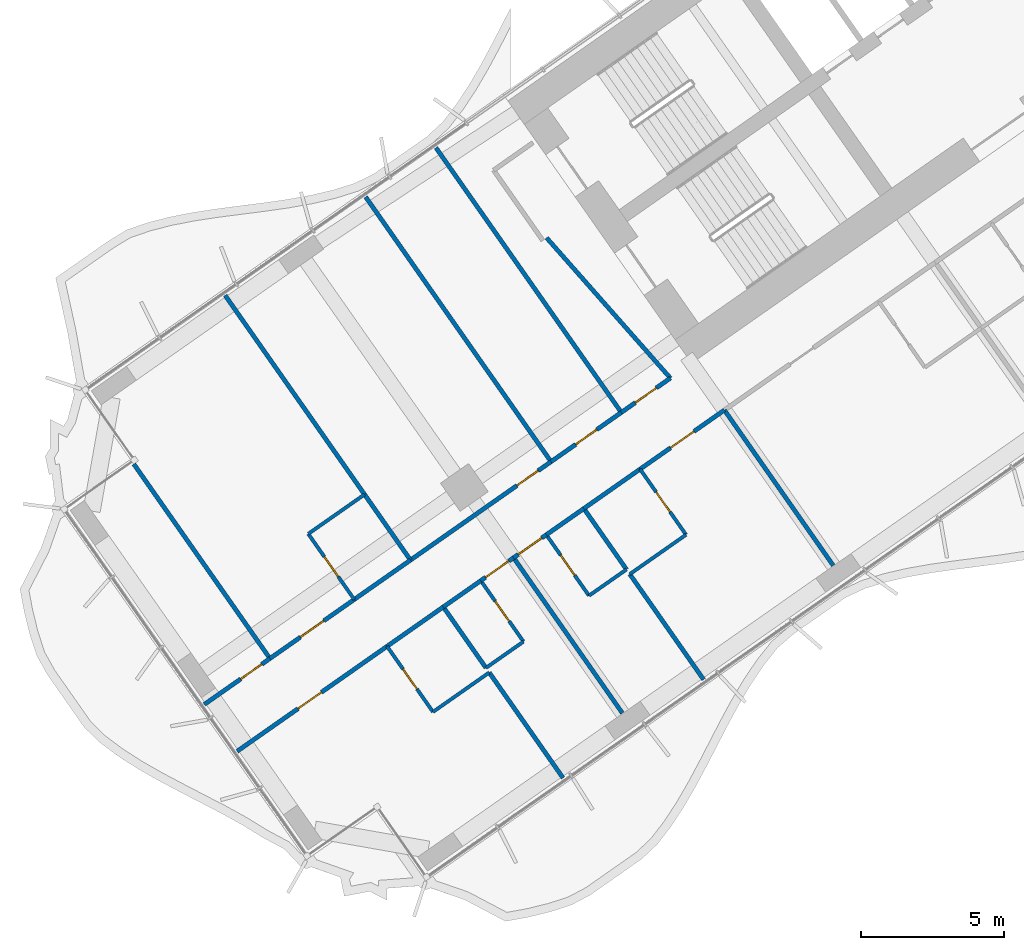
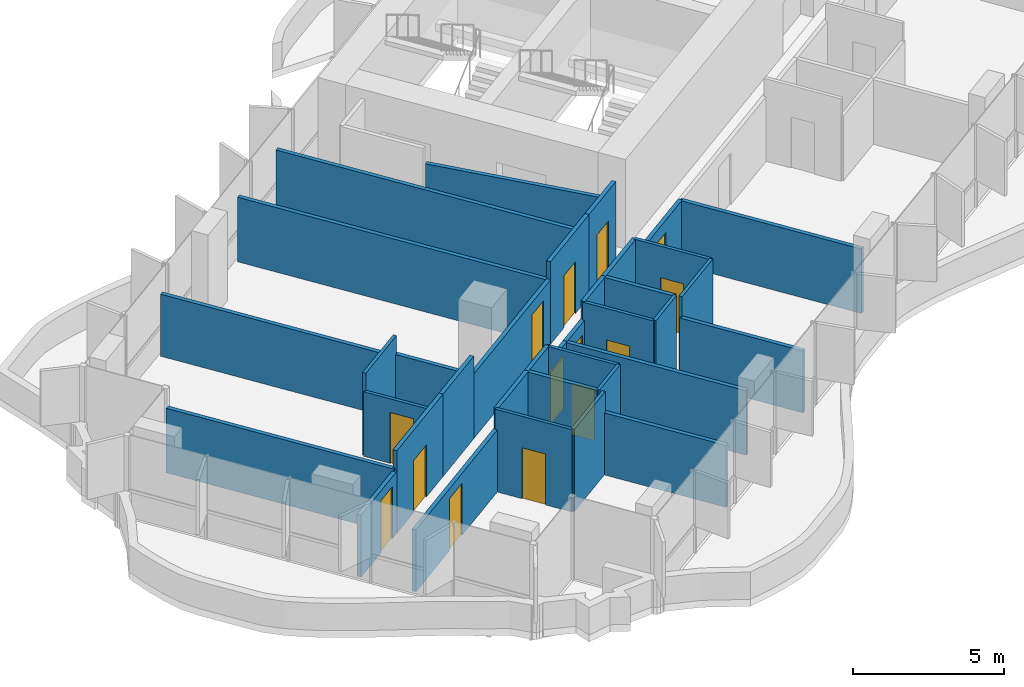
# One storey, part 13 of 24: 36 walls, 14 doors, 14 openings.
"""IFC4 building model written with IfcOpenShell, lengths in metres."""

from ifc_helpers import new_model, si_unit, direction, frame, frame_2d, origin, place, context, subcontext, project, spatial, rectangle, extrude, material, layer, layer_set, type_object, element, fill, save


model = new_model("IFC4")

# Units and contexts
model_context = context("Model", 3, precision=1e-05, world=origin(), true_north=direction((0.0, 1.0)))
body_context = subcontext(model_context, "Body", "Model", "MODEL_VIEW")
ifc_project = project(units=[si_unit("LENGTHUNIT", "METRE"), si_unit("AREAUNIT", "SQUARE_METRE"), si_unit("VOLUMEUNIT", "CUBIC_METRE"), si_unit("PLANEANGLEUNIT", "RADIAN"), si_unit("MASSUNIT", "GRAM", prefix="KILO")], contexts=[model_context])

# Site, building, storey
site_placement = place(None, origin())
site = spatial("IfcSite", under=ifc_project, at=site_placement, CompositionType="ELEMENT")
building_placement = place(site_placement, origin())
building = spatial("IfcBuilding", under=site, at=building_placement, Name="Tel Ilan Convention Tower", CompositionType="ELEMENT")
storey_placement = place(building_placement, frame((0.0, 0.0, 72.5)))
storey = spatial("IfcBuildingStorey", under=building, at=storey_placement, Name="L13", CompositionType="ELEMENT", Elevation=72.5)

# Wall, opening, door
ifc_material_1 = material(Name="Plasterboard on Steel Studs", Category="steel")
ifc_layer_1 = layer(ifc_material_1, 0.14990234375)
ifc_layer_set_1 = layer_set([ifc_layer_1], Name="Fire-rated Partition 150 EI 60")
wall_type_1 = type_object("IfcWallType", Name="Fire-rated Partition 150 EI 60", PredefinedType="PARTITIONING", material=ifc_layer_set_1)
wall_1_placement = place(storey_placement, frame((-24.002685546875, -18.027587890625, 0.0), z_axis=(0.0, 0.0, 1.0), x_axis=(0.819160859995, 0.573563846013, 0.0)))
wall_1 = element("IfcWall", 1, at=wall_1_placement, inside=storey, type_object=wall_type_1, Name="Partition 020", PredefinedType="PARTITIONING", context=body_context, shape_type="SweptSolid", body=[
    extrude(rectangle(XDim=2.098388671875, YDim=0.14990234375, at=frame_2d((1.04931640625, 0.0))), origin(), (0.0, 0.0, 1.0), 3.320068359375),
])
opening_1_placement = place(wall_1_placement, frame((0.59912109375, 0.0, 0.0)))
opening_1 = element("IfcOpeningElement", 2, at=opening_1_placement, cuts=wall_1, Name="Opening L13-013", PredefinedType="OPENING", context=body_context, shape_type="SweptSolid", body=[
    extrude(rectangle(XDim=0.89990234375, YDim=2.10009765625, at=frame_2d((0.449951171875, 1.050048828125))), frame((0.0, 0.0849609375, 0.0), z_axis=(0.0, -1.0, 0.0), x_axis=(1.0, 0.0, 0.0)), (0.0, 0.0, 1.0), 0.169921875),
])
ifc_material_2 = material(Name="Timber Door Leaf in Steel Frame", Category="steel")
door_type_1 = type_object("IfcDoorType", Name="Room Fire Door 900x2100", OperationType="NOTDEFINED", PredefinedType="DOOR", material=ifc_material_2)
door_1_placement = place(opening_1_placement, origin())
door_1 = element("IfcDoor", 3, at=door_1_placement, inside=storey, type_object=door_type_1, Name="Door L13-013", OperationType="SINGLE_SWING_LEFT", OverallHeight=2.10009765625, OverallWidth=0.89990234375, PredefinedType="DOOR", context=body_context, shape_type="SweptSolid", body=[
    extrude(rectangle(XDim=0.89990234375, YDim=2.10009765625, at=frame_2d((0.449951171875, 1.050048828125))), frame((0.0, 0.02490234375, 0.0), z_axis=(0.0, -1.0, 0.0), x_axis=(1.0, 0.0, 0.0)), (0.0, 0.0, 1.0), 0.050048828125),
])
fill(opening_1, door_1)

wall_2_placement = place(storey_placement, frame((-26.460205078125, -19.748291015625, 0.0), z_axis=(0.0, 0.0, 1.0), x_axis=(0.819193738533, 0.573516886193, 0.0)))
wall_2 = element("IfcWall", 4, at=wall_2_placement, inside=storey, type_object=wall_type_1, Name="Partition 021", PredefinedType="PARTITIONING", context=body_context, shape_type="SweptSolid", body=[
    extrude(rectangle(XDim=3.004150390625, YDim=0.14990234375, at=frame_2d((1.501953125, 0.0))), origin(), (0.0, 0.0, 1.0), 3.320068359375),
])
opening_2_placement = place(wall_2_placement, frame((1.052001953125, 0.0, 0.0)))
opening_2 = element("IfcOpeningElement", 5, at=opening_2_placement, cuts=wall_2, Name="Opening L13-014", PredefinedType="OPENING", context=body_context, shape_type="SweptSolid", body=[
    extrude(rectangle(XDim=0.89990234375, YDim=2.10009765625, at=frame_2d((0.449951171875, 1.050048828125))), frame((0.0, 0.0849609375, 0.0), z_axis=(0.0, -1.0, 0.0), x_axis=(1.0, 0.0, 0.0)), (0.0, 0.0, 1.0), 0.169921875),
])
door_2_placement = place(opening_2_placement, origin())
door_2 = element("IfcDoor", 6, at=door_2_placement, inside=storey, type_object=door_type_1, Name="Door L13-014", OperationType="SINGLE_SWING_LEFT", OverallHeight=2.10009765625, OverallWidth=0.89990234375, PredefinedType="DOOR", context=body_context, shape_type="SweptSolid", body=[
    extrude(rectangle(XDim=0.89990234375, YDim=2.10009765625, at=frame_2d((0.449951171875, 1.050048828125))), frame((0.0, 0.02490234375, 0.0), z_axis=(0.0, -1.0, 0.0), x_axis=(1.0, 0.0, 0.0)), (0.0, 0.0, 1.0), 0.050048828125),
])
fill(opening_2, door_2)

wall_3_placement = place(storey_placement, frame((-31.375, -23.189697265625, 0.0), z_axis=(0.0, 0.0, 1.0), x_axis=(0.819165052243, 0.573557858619, 0.0)))
wall_3 = element("IfcWall", 7, at=wall_3_placement, inside=storey, type_object=wall_type_1, Name="Partition 022", PredefinedType="PARTITIONING", context=body_context, shape_type="SweptSolid", body=[
    extrude(rectangle(XDim=6.00390625, YDim=0.14990234375, at=frame_2d((3.001953125, 0.0))), origin(), (0.0, 0.0, 1.0), 2.60009765625),
])
opening_3_placement = place(wall_3_placement, frame((4.552001953125, 0.0, 0.0)))
opening_3 = element("IfcOpeningElement", 8, at=opening_3_placement, cuts=wall_3, Name="Opening L13-015", PredefinedType="OPENING", context=body_context, shape_type="SweptSolid", body=[
    extrude(rectangle(XDim=0.89990234375, YDim=2.10009765625, at=frame_2d((0.449951171875, 1.050048828125))), frame((0.0, 0.0849609375, 0.0), z_axis=(0.0, -1.0, 0.0), x_axis=(1.0, 0.0, 0.0)), (0.0, 0.0, 1.0), 0.169921875),
])
door_3_placement = place(opening_3_placement, origin())
door_3 = element("IfcDoor", 9, at=door_3_placement, inside=storey, type_object=door_type_1, Name="Door L13-015", OperationType="SINGLE_SWING_LEFT", OverallHeight=2.10009765625, OverallWidth=0.89990234375, PredefinedType="DOOR", context=body_context, shape_type="SweptSolid", body=[
    extrude(rectangle(XDim=0.89990234375, YDim=2.10009765625, at=frame_2d((0.449951171875, 1.050048828125))), frame((0.0, 0.02490234375, 0.0), z_axis=(0.0, -1.0, 0.0), x_axis=(1.0, 0.0, 0.0)), (0.0, 0.0, 1.0), 0.050048828125),
])
fill(opening_3, door_3)

wall_4_placement = place(storey_placement, frame((-36.289794921875, -26.631103515625, 0.0), z_axis=(0.0, 0.0, 1.0), x_axis=(0.81917779803, 0.57353965444, 0.0)))
wall_4 = element("IfcWall", 10, at=wall_4_placement, inside=storey, type_object=wall_type_1, Name="Partition 023", PredefinedType="PARTITIONING", context=body_context, shape_type="SweptSolid", body=[
    extrude(rectangle(XDim=3.602783203125, YDim=0.14990234375, at=frame_2d((1.80126953125, 0.0))), origin(), (0.0, 0.0, 1.0), 3.320068359375),
])
opening_4_placement = place(wall_4_placement, frame((1.302001953125, 0.0, 0.0)))
opening_4 = element("IfcOpeningElement", 11, at=opening_4_placement, cuts=wall_4, Name="Opening L13-017", PredefinedType="OPENING", context=body_context, shape_type="SweptSolid", body=[
    extrude(rectangle(XDim=1.0, YDim=2.10009765625, at=frame_2d((0.5, 1.050048828125))), frame((0.0, 0.0849609375, 0.0), z_axis=(0.0, -1.0, 0.0), x_axis=(1.0, 0.0, 0.0)), (0.0, 0.0, 1.0), 0.169921875),
])
ifc_material_3 = material(Name="Timber Door Leaf in Steel Frame", Category="steel")
door_type_2 = type_object("IfcDoorType", Name="Hotel Room Entrance Fire Door 1000x2100", OperationType="NOTDEFINED", PredefinedType="DOOR", material=ifc_material_3)
door_4_placement = place(opening_4_placement, origin())
door_4 = element("IfcDoor", 12, at=door_4_placement, inside=storey, type_object=door_type_2, Name="Door L13-017", OperationType="SINGLE_SWING_LEFT", OverallHeight=2.10009765625, OverallWidth=1.0, PredefinedType="DOOR", context=body_context, shape_type="SweptSolid", body=[
    extrude(rectangle(XDim=1.0, YDim=2.10009765625, at=frame_2d((0.5, 1.050048828125))), frame((0.0, 0.02490234375, 0.0), z_axis=(0.0, -1.0, 0.0), x_axis=(1.0, 0.0, 0.0)), (0.0, 0.0, 1.0), 0.050048828125),
])
fill(opening_4, door_4)

# Wall
wall_5_placement = place(storey_placement, frame((-33.341064453125, -24.56640625, 0.0), z_axis=(0.0, 0.0, 1.0), x_axis=(0.819179439794, 0.573537309527, 0.0)))
element("IfcWall", 13, at=wall_5_placement, inside=storey, type_object=wall_type_1, Name="Partition 024", PredefinedType="PARTITIONING", context=body_context, shape_type="SweptSolid", body=[
    extrude(rectangle(XDim=2.404296875, YDim=0.14990234375, at=frame_2d((1.2021484375, 0.0))), origin(), (0.0, 0.0, 1.0), 3.320068359375),
])

# Wall, opening, door
wall_6_placement = place(storey_placement, frame((-38.581787109375, -28.236083984375, 0.0), z_axis=(0.0, 0.0, 1.0), x_axis=(0.819137759006, 0.573596837309, 0.0)))
wall_6 = element("IfcWall", 14, at=wall_6_placement, inside=storey, type_object=wall_type_1, Name="Partition 025", PredefinedType="PARTITIONING", context=body_context, shape_type="SweptSolid", body=[
    extrude(rectangle(XDim=2.802001953125, YDim=0.14990234375, at=frame_2d((1.40087890625, 0.0))), origin(), (0.0, 0.0, 1.0), 2.5),
])
opening_5_placement = place(wall_6_placement, frame((1.551025390625, 0.0, 0.0)))
opening_5 = element("IfcOpeningElement", 15, at=opening_5_placement, cuts=wall_6, Name="Opening L13-018", PredefinedType="OPENING", context=body_context, shape_type="SweptSolid", body=[
    extrude(rectangle(XDim=0.89990234375, YDim=2.10009765625, at=frame_2d((0.449951171875, 1.050048828125))), frame((0.0, 0.0849609375, 0.0), z_axis=(0.0, -1.0, 0.0), x_axis=(1.0, 0.0, 0.0)), (0.0, 0.0, 1.0), 0.169921875),
])
door_5_placement = place(opening_5_placement, origin())
door_5 = element("IfcDoor", 16, at=door_5_placement, inside=storey, type_object=door_type_1, Name="Door L13-018", OperationType="SINGLE_SWING_RIGHT", OverallHeight=2.10009765625, OverallWidth=0.89990234375, PredefinedType="DOOR", context=body_context, shape_type="SweptSolid", body=[
    extrude(rectangle(XDim=0.89990234375, YDim=2.10009765625, at=frame_2d((0.449951171875, 1.050048828125))), frame((0.0, 0.02490234375, 0.0), z_axis=(0.0, -1.0, 0.0), x_axis=(1.0, 0.0, 0.0)), (0.0, 0.0, 1.0), 0.050048828125),
])
fill(opening_5, door_5)

wall_7_placement = place(storey_placement, frame((-20.394775390625, -17.94287109375, 0.0), z_axis=(0.0, 0.0, 1.0), x_axis=(-0.819145961204, -0.573585123798, 0.0)))
wall_7 = element("IfcWall", 17, at=wall_7_placement, inside=storey, type_object=wall_type_1, Name="Partition 030", PredefinedType="PARTITIONING", context=body_context, shape_type="SweptSolid", body=[
    extrude(rectangle(XDim=3.60302734375, YDim=0.14990234375, at=frame_2d((1.801513671875, 0.0))), origin(), (0.0, 0.0, 1.0), 2.60009765625),
])
opening_6_placement = place(wall_7_placement, frame((1.302001953125, 0.0, 0.0)))
opening_6 = element("IfcOpeningElement", 18, at=opening_6_placement, cuts=wall_7, Name="Opening L13-006", PredefinedType="OPENING", context=body_context, shape_type="SweptSolid", body=[
    extrude(rectangle(XDim=1.0, YDim=2.10009765625, at=frame_2d((0.5, 1.050048828125))), frame((0.0, 0.0849609375, 0.0), z_axis=(0.0, -1.0, 0.0), x_axis=(1.0, 0.0, 0.0)), (0.0, 0.0, 1.0), 0.169921875),
])
door_6_placement = place(opening_6_placement, origin())
door_6 = element("IfcDoor", 19, at=door_6_placement, inside=storey, type_object=door_type_2, Name="Door L13-006", OperationType="SINGLE_SWING_RIGHT", OverallHeight=2.10009765625, OverallWidth=1.0, PredefinedType="DOOR", context=body_context, shape_type="SweptSolid", body=[
    extrude(rectangle(XDim=1.0, YDim=2.10009765625, at=frame_2d((0.5, 1.050048828125))), frame((0.0, 0.02490234375, 0.0), z_axis=(0.0, -1.0, 0.0), x_axis=(1.0, 0.0, 0.0)), (0.0, 0.0, 1.0), 0.050048828125),
])
fill(opening_6, door_6)

# Wall
wall_8_placement = place(storey_placement, frame((-23.34375, -20.0078125, 0.0), z_axis=(0.0, 0.0, 1.0), x_axis=(-0.819146032251, -0.573585022335, 0.0)))
element("IfcWall", 20, at=wall_8_placement, inside=storey, type_object=wall_type_1, Name="Partition 031", PredefinedType="PARTITIONING", context=body_context, shape_type="SweptSolid", body=[
    extrude(rectangle(XDim=2.404052734375, YDim=0.14990234375, at=frame_2d((1.2021484375, 0.0))), origin(), (0.0, 0.0, 1.0), 3.320068359375),
])

# Wall, opening, door
wall_9_placement = place(storey_placement, frame((-26.62109375, -22.302490234375, 0.0), z_axis=(0.0, 0.0, 1.0), x_axis=(-0.819117471667, -0.573625808005, 0.0)))
wall_9 = element("IfcWall", 21, at=wall_9_placement, inside=storey, type_object=wall_type_1, Name="Partition 032", PredefinedType="PARTITIONING", context=body_context, shape_type="SweptSolid", body=[
    extrude(rectangle(XDim=1.4033203125, YDim=0.14990234375, at=frame_2d((0.70166015625, 0.0))), origin(), (0.0, 0.0, 1.0), 2.60009765625),
])
opening_7_placement = place(wall_9_placement, frame((0.200927734375, 0.0, 0.0)))
opening_7 = element("IfcOpeningElement", 22, at=opening_7_placement, cuts=wall_9, Name="Opening L13-008", PredefinedType="OPENING", context=body_context, shape_type="SweptSolid", body=[
    extrude(rectangle(XDim=1.0, YDim=2.10009765625, at=frame_2d((0.5, 1.050048828125))), frame((0.0, 0.0849609375, 0.0), z_axis=(0.0, -1.0, 0.0), x_axis=(1.0, 0.0, 0.0)), (0.0, 0.0, 1.0), 0.169921875),
])
door_7_placement = place(opening_7_placement, origin())
door_7 = element("IfcDoor", 23, at=door_7_placement, inside=storey, type_object=door_type_2, Name="Door L13-008", OperationType="SINGLE_SWING_LEFT", OverallHeight=2.10009765625, OverallWidth=1.0, PredefinedType="DOOR", context=body_context, shape_type="SweptSolid", body=[
    extrude(rectangle(XDim=1.0, YDim=2.10009765625, at=frame_2d((0.5, 1.050048828125))), frame((0.0, 0.02490234375, 0.0), z_axis=(0.0, -1.0, 0.0), x_axis=(1.0, 0.0, 0.0)), (0.0, 0.0, 1.0), 0.050048828125),
])
fill(opening_7, door_7)

# Wall
wall_10_placement = place(storey_placement, frame((-25.3095703125, -21.38427734375, 0.0), z_axis=(0.0, 0.0, 1.0), x_axis=(-0.819189013667, -0.573523634986, 0.0)))
element("IfcWall", 24, at=wall_10_placement, inside=storey, type_object=wall_type_1, Name="Partition 033", PredefinedType="PARTITIONING", context=body_context, shape_type="SweptSolid", body=[
    extrude(rectangle(XDim=1.60400390625, YDim=0.14990234375, at=frame_2d((0.802001953125, 0.0))), origin(), (0.0, 0.0, 1.0), 3.320068359375),
])

# Wall, opening, door
wall_11_placement = place(storey_placement, frame((-27.76708984375, -23.10498046875, 0.0), z_axis=(0.0, 0.0, 1.0), x_axis=(-0.819117471667, -0.573625808005, 0.0)))
wall_11 = element("IfcWall", 25, at=wall_11_placement, inside=storey, type_object=wall_type_1, Name="Partition 034", PredefinedType="PARTITIONING", context=body_context, shape_type="SweptSolid", body=[
    extrude(rectangle(XDim=1.4033203125, YDim=0.14990234375, at=frame_2d((0.70166015625, 0.0))), origin(), (0.0, 0.0, 1.0), 2.60009765625),
])
opening_8_placement = place(wall_11_placement, frame((0.201904296875, 0.0, 0.0)))
opening_8 = element("IfcOpeningElement", 26, at=opening_8_placement, cuts=wall_11, Name="Opening L13-010", PredefinedType="OPENING", context=body_context, shape_type="SweptSolid", body=[
    extrude(rectangle(XDim=1.0, YDim=2.10009765625, at=frame_2d((0.5, 1.050048828125))), frame((0.0, 0.0849609375, 0.0), z_axis=(0.0, -1.0, 0.0), x_axis=(1.0, 0.0, 0.0)), (0.0, 0.0, 1.0), 0.169921875),
])
door_8_placement = place(opening_8_placement, origin())
door_8 = element("IfcDoor", 27, at=door_8_placement, inside=storey, type_object=door_type_2, Name="Door L13-010", OperationType="SINGLE_SWING_LEFT", OverallHeight=2.10009765625, OverallWidth=1.0, PredefinedType="DOOR", context=body_context, shape_type="SweptSolid", body=[
    extrude(rectangle(XDim=1.0, YDim=2.10009765625, at=frame_2d((0.5, 1.050048828125))), frame((0.0, 0.02490234375, 0.0), z_axis=(0.0, -1.0, 0.0), x_axis=(1.0, 0.0, 0.0)), (0.0, 0.0, 1.0), 0.050048828125),
])
fill(opening_8, door_8)

# Wall
wall_12_placement = place(storey_placement, frame((-28.913818359375, -23.908203125, 0.0), z_axis=(0.0, 0.0, 1.0), x_axis=(-0.819189013667, -0.573523634986, 0.0)))
element("IfcWall", 28, at=wall_12_placement, inside=storey, type_object=wall_type_1, Name="Partition 035", PredefinedType="PARTITIONING", context=body_context, shape_type="SweptSolid", body=[
    extrude(rectangle(XDim=1.60400390625, YDim=0.14990234375, at=frame_2d((0.802001953125, 0.0))), origin(), (0.0, 0.0, 1.0), 3.320068359375),
])

# Wall, opening, door
wall_13_placement = place(storey_placement, frame((-32.19140625, -26.202880859375, 0.0), z_axis=(0.0, 0.0, 1.0), x_axis=(-0.819140526837, -0.573592884626, 0.0)))
wall_13 = element("IfcWall", 29, at=wall_13_placement, inside=storey, type_object=wall_type_1, Name="Partition 036", PredefinedType="PARTITIONING", context=body_context, shape_type="SweptSolid", body=[
    extrude(rectangle(XDim=6.401123046875, YDim=0.14990234375, at=frame_2d((3.20068359375, 0.0))), origin(), (0.0, 0.0, 1.0), 2.5),
])
opening_9_placement = place(wall_13_placement, frame((2.801025390625, 0.0, 0.0)))
opening_9 = element("IfcOpeningElement", 30, at=opening_9_placement, cuts=wall_13, Name="Opening L13-012", PredefinedType="OPENING", context=body_context, shape_type="SweptSolid", body=[
    extrude(rectangle(XDim=1.0, YDim=2.10009765625, at=frame_2d((0.5, 1.050048828125))), frame((0.0, 0.0849609375, 0.0), z_axis=(0.0, -1.0, 0.0), x_axis=(1.0, 0.0, 0.0)), (0.0, 0.0, 1.0), 0.169921875),
])
door_9_placement = place(opening_9_placement, origin())
door_9 = element("IfcDoor", 31, at=door_9_placement, inside=storey, type_object=door_type_2, Name="Door L13-012", OperationType="SINGLE_SWING_LEFT", OverallHeight=2.10009765625, OverallWidth=1.0, PredefinedType="DOOR", context=body_context, shape_type="SweptSolid", body=[
    extrude(rectangle(XDim=1.0, YDim=2.10009765625, at=frame_2d((0.5, 1.050048828125))), frame((0.0, 0.02490234375, 0.0), z_axis=(0.0, -1.0, 0.0), x_axis=(1.0, 0.0, 0.0)), (0.0, 0.0, 1.0), 0.050048828125),
])
fill(opening_9, door_9)

# Walls
wall_14_placement = place(storey_placement, frame((-30.224609375, -24.82568359375, 0.0), z_axis=(0.0, 0.0, 1.0), x_axis=(-0.819146032251, -0.573585022335, 0.0)))
element("IfcWall", 32, at=wall_14_placement, inside=storey, type_object=wall_type_1, Name="Partition 037", PredefinedType="PARTITIONING", context=body_context, shape_type="SweptSolid", body=[
    extrude(rectangle(XDim=2.404052734375, YDim=0.14990234375, at=frame_2d((1.2021484375, 0.0))), origin(), (0.0, 0.0, 1.0), 3.320068359375),
])
wall_15_placement = place(storey_placement, frame((-22.2841796875, -16.82666015625, 0.0), z_axis=(0.0, 0.0, 1.0), x_axis=(-0.661545117561, 0.749905365651, 0.0)))
element("IfcWall", 33, at=wall_15_placement, inside=storey, type_object=wall_type_1, Name="Partition 076", PredefinedType="PARTITIONING", context=body_context, shape_type="SweptSolid", body=[
    extrude(rectangle(XDim=6.542724609375, YDim=0.14990234375, at=frame_2d((3.271484375, 0.0))), origin(), (0.0, 0.0, 1.0), 2.60009765625),
])
for number, where, z_axis, x_axis, name in (
    (34, (-24.0009765625, -18.0263671875, 0.0), (0.0, 0.0, 1.0), (-0.573581240749, 0.819148680192, 0.0), "Partition 077"),
    (35, (-26.45849609375, -19.747314453125, 0.0), (0.0, 0.0, 1.0), (-0.573571089604, 0.819155788095, 0.0), "Partition 078"),
):
    element("IfcWall", number, at=place(storey_placement, frame(where, z_axis=z_axis, x_axis=x_axis)), inside=storey, type_object=wall_type_1, Name=name, PredefinedType="PARTITIONING", context=body_context, shape_type="SweptSolid", body=[
        extrude(rectangle(XDim=11.300048828125, YDim=0.14990234375, at=frame_2d((5.64990234375, 0.0))), origin(), (0.0, 0.0, 1.0), 2.60009765625),
    ])
wall_16_placement = place(storey_placement, frame((-32.978759765625, -20.895751953125, 0.0), z_axis=(0.0, 0.0, 1.0), x_axis=(-0.573576058406, 0.819152308929, 0.0)))
element("IfcWall", 36, at=wall_16_placement, inside=storey, type_object=wall_type_1, Name="Partition 079", PredefinedType="PARTITIONING", context=body_context, shape_type="SweptSolid", body=[
    extrude(rectangle(XDim=8.5009765625, YDim=0.14990234375, at=frame_2d((4.25048828125, 0.0))), origin(), (0.0, 0.0, 1.0), 2.5),
])
wall_17_placement = place(storey_placement, frame((-31.373291015625, -23.188720703125, 0.0), z_axis=(0.0, 0.0, 1.0), x_axis=(-0.573555899632, 0.819166423871, 0.0)))
element("IfcWall", 37, at=wall_17_placement, inside=storey, type_object=wall_type_1, Name="Partition 080", PredefinedType="PARTITIONING", context=body_context, shape_type="SweptSolid", body=[
    extrude(rectangle(XDim=2.80224609375, YDim=0.14990234375, at=frame_2d((1.401123046875, 0.0))), origin(), (0.0, 0.0, 1.0), 2.60009765625),
])
wall_18_placement = place(storey_placement, frame((-36.288330078125, -26.630126953125, 0.0), z_axis=(0.0, 0.0, 1.0), x_axis=(-0.573555124968, 0.819166966267, 0.0)))
element("IfcWall", 38, at=wall_18_placement, inside=storey, type_object=wall_type_1, Name="Partition 083", PredefinedType="PARTITIONING", context=body_context, shape_type="SweptSolid", body=[
    extrude(rectangle(XDim=8.300048828125, YDim=0.14990234375, at=frame_2d((4.14990234375, 0.0))), origin(), (0.0, 0.0, 1.0), 2.60009765625),
])
wall_19_placement = place(storey_placement, frame((-16.593505859375, -23.375, 0.0), z_axis=(0.0, 0.0, 1.0), x_axis=(-0.57359826181, 0.819136761505, 0.0)))
element("IfcWall", 39, at=wall_19_placement, inside=storey, type_object=wall_type_1, Name="Partition 090", PredefinedType="PARTITIONING", context=body_context, shape_type="SweptSolid", body=[
    extrude(rectangle(XDim=6.630126953125, YDim=0.14990234375, at=frame_2d((3.31494140625, 0.0))), origin(), (0.0, 0.0, 1.0), 2.60009765625),
])
wall_20_placement = place(storey_placement, frame((-21.124267578125, -27.365234375, 0.0), z_axis=(0.0, 0.0, 1.0), x_axis=(-0.573553393703, 0.819168178442, 0.0)))
element("IfcWall", 40, at=wall_20_placement, inside=storey, type_object=wall_type_1, Name="Partition 093", PredefinedType="PARTITIONING", context=body_context, shape_type="SweptSolid", body=[
    extrude(rectangle(XDim=4.498779296875, YDim=0.14990234375, at=frame_2d((2.24951171875, 0.0))), origin(), (0.0, 0.0, 1.0), 2.5),
])
wall_21_placement = place(storey_placement, frame((-23.81884765625, -23.516845703125, 0.0), z_axis=(0.0, 0.0, 1.0), x_axis=(-0.573588285102, 0.819143747577, 0.0)))
element("IfcWall", 41, at=wall_21_placement, inside=storey, type_object=wall_type_1, Name="Partition 094", PredefinedType="PARTITIONING", context=body_context, shape_type="SweptSolid", body=[
    extrude(rectangle(XDim=2.601806640625, YDim=0.14990234375, at=frame_2d((1.30078125, 0.0))), origin(), (0.0, 0.0, 1.0), 3.320068359375),
])
wall_22_placement = place(storey_placement, frame((-23.9658203125, -28.537109375, 0.0), z_axis=(0.0, 0.0, 1.0), x_axis=(-0.57359826181, 0.819136761505, 0.0)))
element("IfcWall", 42, at=wall_22_placement, inside=storey, type_object=wall_type_1, Name="Partition 097", PredefinedType="PARTITIONING", context=body_context, shape_type="SweptSolid", body=[
    extrude(rectangle(XDim=6.630126953125, YDim=0.14990234375, at=frame_2d((3.31494140625, 0.0))), origin(), (0.0, 0.0, 1.0), 2.60009765625),
])
wall_23_placement = place(storey_placement, frame((-26.0390625, -30.806640625, 0.0), z_axis=(0.0, 0.0, 1.0), x_axis=(-0.573593387921, 0.81914017441, 0.0)))
element("IfcWall", 43, at=wall_23_placement, inside=storey, type_object=wall_type_1, Name="Partition 100", PredefinedType="PARTITIONING", context=body_context, shape_type="SweptSolid", body=[
    extrude(rectangle(XDim=4.5009765625, YDim=0.14990234375, at=frame_2d((2.25048828125, 0.0))), origin(), (0.0, 0.0, 1.0), 2.5),
])
wall_24_placement = place(storey_placement, frame((-28.73486328125, -26.956787109375, 0.0), z_axis=(0.0, 0.0, 1.0), x_axis=(-0.573600972199, 0.819134863556, 0.0)))
element("IfcWall", 44, at=wall_24_placement, inside=storey, type_object=wall_type_1, Name="Partition 101", PredefinedType="PARTITIONING", context=body_context, shape_type="SweptSolid", body=[
    extrude(rectangle(XDim=2.60009765625, YDim=0.14990234375, at=frame_2d((1.300048828125, 0.0))), origin(), (0.0, 0.0, 1.0), 3.320068359375),
])
ifc_material_4 = material(Name="Plasterboard on Steel Studs", Category="steel")
ifc_layer_2 = layer(ifc_material_4, 0.1201171875)
ifc_layer_set_2 = layer_set([ifc_layer_2], Name="Moisture-resistant Partition 120")
wall_type_2 = type_object("IfcWallType", Name="Moisture-resistant Partition 120", PredefinedType="PARTITIONING", material=ifc_layer_set_2)
wall_25_placement = place(storey_placement, frame((-32.97998046875, -20.894287109375, 0.0), z_axis=(0.0, 0.0, 1.0), x_axis=(-0.819155442668, -0.573571582932, 0.0)))
element("IfcWall", 45, at=wall_25_placement, inside=storey, type_object=wall_type_2, Name="Partition 081", PredefinedType="PARTITIONING", context=body_context, shape_type="SweptSolid", body=[
    extrude(rectangle(XDim=2.39990234375, YDim=0.1201171875, at=frame_2d((1.199951171875, 0.0))), origin(), (0.0, 0.0, 1.0), 3.320068359375),
])

# Wall, opening, door
wall_26_placement = place(storey_placement, frame((-34.9462890625, -22.272216796875, 0.0), z_axis=(0.0, 0.0, 1.0), x_axis=(0.573608623498, -0.819129505664, 0.0)))
wall_26 = element("IfcWall", 46, at=wall_26_placement, inside=storey, type_object=wall_type_2, Name="Partition 082", PredefinedType="PARTITIONING", context=body_context, shape_type="SweptSolid", body=[
    extrude(rectangle(XDim=2.800048828125, YDim=0.1201171875, at=frame_2d((1.39990234375, 0.0))), origin(), (0.0, 0.0, 1.0), 2.60009765625),
])
opening_10_placement = place(wall_26_placement, frame((0.97509765625, 0.0, 0.0)))
opening_10 = element("IfcOpeningElement", 47, at=opening_10_placement, cuts=wall_26, Name="Opening L13-016", PredefinedType="OPENING", context=body_context, shape_type="SweptSolid", body=[
    extrude(rectangle(XDim=0.85009765625, YDim=2.050048828125, at=frame_2d((0.425048828125, 1.02490234375))), frame((0.0, 0.070068359375, 0.0), z_axis=(0.0, -1.0, 0.0), x_axis=(1.0, 0.0, 0.0)), (0.0, 0.0, 1.0), 0.14013671875),
])
ifc_material_5 = material(Name="Timber Door Leaf in Steel Frame", Category="steel")
door_type_3 = type_object("IfcDoorType", Name="Bathroom Timber Door 850x2050", OperationType="NOTDEFINED", PredefinedType="DOOR", material=ifc_material_5)
door_10_placement = place(opening_10_placement, origin())
door_10 = element("IfcDoor", 48, at=door_10_placement, inside=storey, type_object=door_type_3, Name="Door L13-016", OperationType="SINGLE_SWING_RIGHT", OverallHeight=2.050048828125, OverallWidth=0.85009765625, PredefinedType="DOOR", context=body_context, shape_type="SweptSolid", body=[
    extrude(rectangle(XDim=0.85009765625, YDim=2.050048828125, at=frame_2d((0.425048828125, 1.02490234375))), frame((0.0, 0.02490234375, 0.0), z_axis=(0.0, -1.0, 0.0), x_axis=(1.0, 0.0, 0.0)), (0.0, 0.0, 1.0), 0.050048828125),
])
fill(opening_10, door_10)

# Wall
wall_27_placement = place(storey_placement, frame((-23.70458984375, -23.679931640625, 0.0), z_axis=(0.0, 0.0, 1.0), x_axis=(0.819107643868, 0.573639841501, 0.0)))
element("IfcWall", 49, at=wall_27_placement, inside=storey, type_object=wall_type_2, Name="Partition 091", PredefinedType="PARTITIONING", context=body_context, shape_type="SweptSolid", body=[
    extrude(rectangle(XDim=2.39990234375, YDim=0.1201171875, at=frame_2d((1.199951171875, 0.0))), origin(), (0.0, 0.0, 1.0), 3.320068359375),
])

# Wall, opening, door
wall_28_placement = place(storey_placement, frame((-21.738525390625, -22.302001953125, 0.0), z_axis=(0.0, 0.0, 1.0), x_axis=(-0.573550118428, 0.819170471667, 0.0)))
wall_28 = element("IfcWall", 50, at=wall_28_placement, inside=storey, type_object=wall_type_2, Name="Partition 092", PredefinedType="PARTITIONING", context=body_context, shape_type="SweptSolid", body=[
    extrude(rectangle(XDim=2.800048828125, YDim=0.1201171875, at=frame_2d((1.39990234375, 0.0))), origin(), (0.0, 0.0, 1.0), 3.320068359375),
])
opening_11_placement = place(wall_28_placement, frame((0.97509765625, 0.0, 0.0)))
opening_11 = element("IfcOpeningElement", 51, at=opening_11_placement, cuts=wall_28, Name="Opening L13-005", PredefinedType="OPENING", context=body_context, shape_type="SweptSolid", body=[
    extrude(rectangle(XDim=0.85009765625, YDim=2.050048828125, at=frame_2d((0.425048828125, 1.02490234375))), frame((0.0, 0.070068359375, 0.0), z_axis=(0.0, -1.0, 0.0), x_axis=(1.0, 0.0, 0.0)), (0.0, 0.0, 1.0), 0.14013671875),
])
door_11_placement = place(opening_11_placement, origin())
door_11 = element("IfcDoor", 52, at=door_11_placement, inside=storey, type_object=door_type_3, Name="Door L13-005", OperationType="SINGLE_SWING_LEFT", OverallHeight=2.050048828125, OverallWidth=0.85009765625, PredefinedType="DOOR", context=body_context, shape_type="SweptSolid", body=[
    extrude(rectangle(XDim=0.85009765625, YDim=2.050048828125, at=frame_2d((0.425048828125, 1.02490234375))), frame((0.0, 0.02490234375, 0.0), z_axis=(0.0, -1.0, 0.0), x_axis=(1.0, 0.0, 0.0)), (0.0, 0.0, 1.0), 0.050048828125),
])
fill(opening_11, door_11)

wall_29_placement = place(storey_placement, frame((-26.622802734375, -22.3037109375, 0.0), z_axis=(0.0, 0.0, 1.0), x_axis=(0.573537965655, -0.819178980414, 0.0)))
wall_29 = element("IfcWall", 53, at=wall_29_placement, inside=storey, type_object=wall_type_2, Name="Partition 095", PredefinedType="PARTITIONING", context=body_context, shape_type="SweptSolid", body=[
    extrude(rectangle(XDim=2.60009765625, YDim=0.1201171875, at=frame_2d((1.300048828125, 0.0))), origin(), (0.0, 0.0, 1.0), 3.320068359375),
])
opening_12_placement = place(wall_29_placement, frame((0.875, 0.0, 0.0)))
opening_12 = element("IfcOpeningElement", 54, at=opening_12_placement, cuts=wall_29, Name="Opening L13-007", PredefinedType="OPENING", context=body_context, shape_type="SweptSolid", body=[
    extrude(rectangle(XDim=0.85009765625, YDim=2.050048828125, at=frame_2d((0.425048828125, 1.02490234375))), frame((0.0, 0.070068359375, 0.0), z_axis=(0.0, -1.0, 0.0), x_axis=(1.0, 0.0, 0.0)), (0.0, 0.0, 1.0), 0.14013671875),
])
door_12_placement = place(opening_12_placement, origin())
door_12 = element("IfcDoor", 55, at=door_12_placement, inside=storey, type_object=door_type_3, Name="Door L13-007", OperationType="SINGLE_SWING_RIGHT", OverallHeight=2.050048828125, OverallWidth=0.85009765625, PredefinedType="DOOR", context=body_context, shape_type="SweptSolid", body=[
    extrude(rectangle(XDim=0.85009765625, YDim=2.050048828125, at=frame_2d((0.425048828125, 1.02490234375))), frame((0.0, 0.02490234375, 0.0), z_axis=(0.0, -1.0, 0.0), x_axis=(1.0, 0.0, 0.0)), (0.0, 0.0, 1.0), 0.050048828125),
])
fill(opening_12, door_12)

# Walls
for number, where, z_axis, x_axis, name in (
    (56, (-25.130126953125, -24.433837890625, 0.0), (0.0, 0.0, 1.0), (0.81918174131, 0.573534022273, 0.0), "Partition 096"),
    (57, (-28.734375, -26.95751953125, 0.0), (0.0, 0.0, 1.0), (0.81918174131, 0.573534022273, 0.0), "Partition 098"),
):
    element("IfcWall", number, at=place(storey_placement, frame(where, z_axis=z_axis, x_axis=x_axis)), inside=storey, type_object=wall_type_2, Name=name, PredefinedType="PARTITIONING", context=body_context, shape_type="SweptSolid", body=[
        extrude(rectangle(XDim=1.60009765625, YDim=0.1201171875, at=frame_2d((0.800048828125, 0.0))), origin(), (0.0, 0.0, 1.0), 3.320068359375),
    ])

# Wall, opening, door
wall_30_placement = place(storey_placement, frame((-27.42333984375, -26.038330078125, 0.0), z_axis=(0.0, 0.0, 1.0), x_axis=(-0.573645091666, 0.819103967032, 0.0)))
wall_30 = element("IfcWall", 58, at=wall_30_placement, inside=storey, type_object=wall_type_2, Name="Partition 099", PredefinedType="PARTITIONING", context=body_context, shape_type="SweptSolid", body=[
    extrude(rectangle(XDim=2.599853515625, YDim=0.1201171875, at=frame_2d((1.2998046875, 0.0))), origin(), (0.0, 0.0, 1.0), 3.320068359375),
])
opening_13_placement = place(wall_30_placement, frame((0.875, 0.0, 0.0)))
opening_13 = element("IfcOpeningElement", 59, at=opening_13_placement, cuts=wall_30, Name="Opening L13-009", PredefinedType="OPENING", context=body_context, shape_type="SweptSolid", body=[
    extrude(rectangle(XDim=0.85009765625, YDim=2.050048828125, at=frame_2d((0.425048828125, 1.02490234375))), frame((0.0, 0.070068359375, 0.0), z_axis=(0.0, -1.0, 0.0), x_axis=(1.0, 0.0, 0.0)), (0.0, 0.0, 1.0), 0.14013671875),
])
door_13_placement = place(opening_13_placement, origin())
door_13 = element("IfcDoor", 60, at=door_13_placement, inside=storey, type_object=door_type_3, Name="Door L13-009", OperationType="SINGLE_SWING_RIGHT", OverallHeight=2.050048828125, OverallWidth=0.85009765625, PredefinedType="DOOR", context=body_context, shape_type="SweptSolid", body=[
    extrude(rectangle(XDim=0.85009765625, YDim=2.050048828125, at=frame_2d((0.425048828125, 1.02490234375))), frame((0.0, 0.02490234375, 0.0), z_axis=(0.0, -1.0, 0.0), x_axis=(1.0, 0.0, 0.0)), (0.0, 0.0, 1.0), 0.050048828125),
])
fill(opening_13, door_13)

wall_31_placement = place(storey_placement, frame((-32.193115234375, -26.2041015625, 0.0), z_axis=(0.0, 0.0, 1.0), x_axis=(0.573608623498, -0.819129505664, 0.0)))
wall_31 = element("IfcWall", 61, at=wall_31_placement, inside=storey, type_object=wall_type_2, Name="Partition 102", PredefinedType="PARTITIONING", context=body_context, shape_type="SweptSolid", body=[
    extrude(rectangle(XDim=2.800048828125, YDim=0.1201171875, at=frame_2d((1.39990234375, 0.0))), origin(), (0.0, 0.0, 1.0), 3.320068359375),
])
opening_14_placement = place(wall_31_placement, frame((0.97509765625, 0.0, 0.0)))
opening_14 = element("IfcOpeningElement", 62, at=opening_14_placement, cuts=wall_31, Name="Opening L13-011", PredefinedType="OPENING", context=body_context, shape_type="SweptSolid", body=[
    extrude(rectangle(XDim=0.85009765625, YDim=2.050048828125, at=frame_2d((0.425048828125, 1.02490234375))), frame((0.0, 0.070068359375, 0.0), z_axis=(0.0, -1.0, 0.0), x_axis=(1.0, 0.0, 0.0)), (0.0, 0.0, 1.0), 0.14013671875),
])
door_14_placement = place(opening_14_placement, origin())
door_14 = element("IfcDoor", 63, at=door_14_placement, inside=storey, type_object=door_type_3, Name="Door L13-011", OperationType="SINGLE_SWING_LEFT", OverallHeight=2.050048828125, OverallWidth=0.85009765625, PredefinedType="DOOR", context=body_context, shape_type="SweptSolid", body=[
    extrude(rectangle(XDim=0.85009765625, YDim=2.050048828125, at=frame_2d((0.425048828125, 1.02490234375))), frame((0.0, 0.02490234375, 0.0), z_axis=(0.0, -1.0, 0.0), x_axis=(1.0, 0.0, 0.0)), (0.0, 0.0, 1.0), 0.050048828125),
])
fill(opening_14, door_14)

# Wall
wall_32_placement = place(storey_placement, frame((-30.585693359375, -28.498046875, 0.0), z_axis=(0.0, 0.0, 1.0), x_axis=(0.819141114317, 0.573592045652, 0.0)))
element("IfcWall", 64, at=wall_32_placement, inside=storey, type_object=wall_type_2, Name="Partition 103", PredefinedType="PARTITIONING", context=body_context, shape_type="SweptSolid", body=[
    extrude(rectangle(XDim=2.400146484375, YDim=0.1201171875, at=frame_2d((1.2001953125, 0.0))), origin(), (0.0, 0.0, 1.0), 3.320068359375),
])

save(model, "model.ifc")
